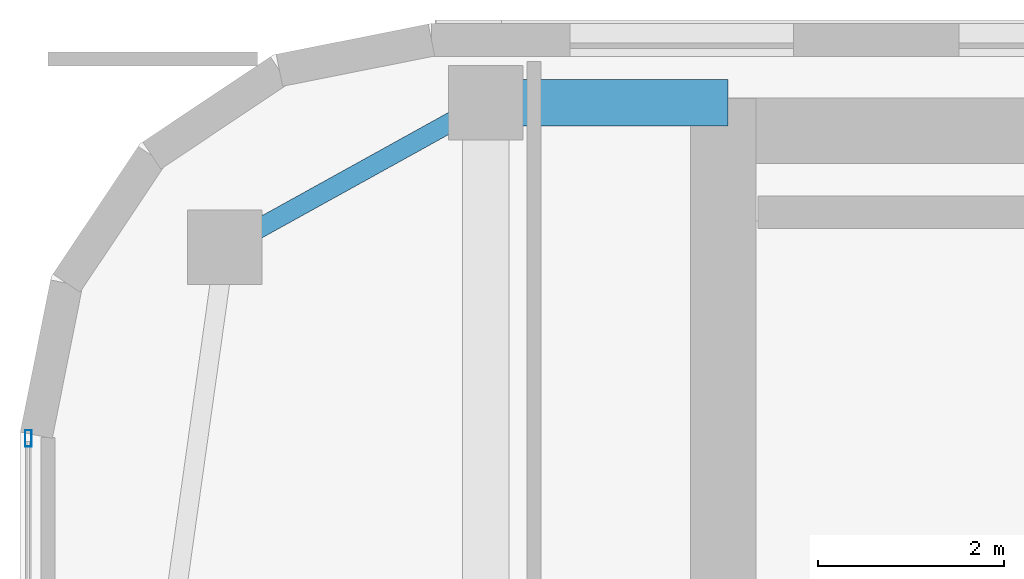
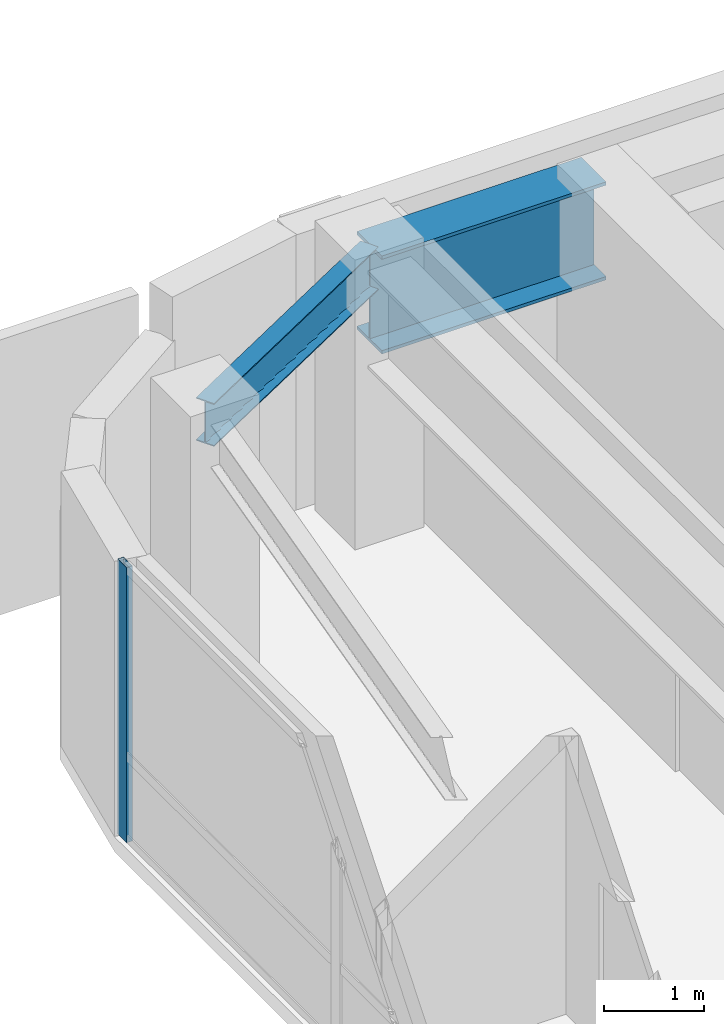
# One storey, part 15 of 28: 2 beams, 1 member, 1 element without a shape of its own.
"""IFC4 building model written with IfcOpenShell, lengths in metres."""

from ifc_helpers import new_model, si_unit, direction, frame, origin, origin_2d, place, context, subcontext, project, spatial, hollow_rectangle, i_section, extrude, source, transform, mapped, material, layer, layer_set, material_profile, profile_set, type_object, type_shapes, element, aggregate, save


model = new_model("IFC4")

# Units and contexts
model_context = context("Model", 3, precision=1e-05, world=origin(), true_north=direction((0.0, 1.0)))
body_context = subcontext(model_context, "Body", "Model", "MODEL_VIEW")
ifc_project = project(units=[si_unit("LENGTHUNIT", "METRE"), si_unit("AREAUNIT", "SQUARE_METRE"), si_unit("VOLUMEUNIT", "CUBIC_METRE"), si_unit("PLANEANGLEUNIT", "RADIAN"), si_unit("MASSUNIT", "GRAM", prefix="KILO")], contexts=[model_context])

# Site, building, storey
site_placement = place(None, origin())
site = spatial("IfcSite", under=ifc_project, at=site_placement, CompositionType="ELEMENT")
building_placement = place(site_placement, origin())
building = spatial("IfcBuilding", under=site, at=building_placement, Name="Tolvann Quenvar Hotel", CompositionType="ELEMENT")
storey_placement = place(building_placement, frame((0.0, 0.0, 154.14990234375)))
storey = spatial("IfcBuildingStorey", under=building, at=storey_placement, Name="L40", CompositionType="ELEMENT", Elevation=154.14990234375)

# Beams
ifc_material_1 = material(Name="Steel Grade 350", Category="steel")
ifc_material_profile_1 = material_profile(ifc_material_1, i_section(OverallWidth=0.5, OverallDepth=1.199951171875, WebThickness=0.01611328125, FlangeThickness=0.0400390625, at=origin_2d()), Name="1200WB455")
ifc_profile_set_1 = profile_set([ifc_material_profile_1], Name="Steel Grade 350")
beam_type_1 = type_object("IfcBeamType", Name="BM_TG_1200WB455", PredefinedType="USERDEFINED", material=ifc_profile_set_1)
shared_shape_1 = source(origin(), body_context, "Body", "SweptSolid", [
    extrude(i_section(OverallWidth=0.5, OverallDepth=1.199951171875, WebThickness=0.01611328125, FlangeThickness=0.0400390625, at=origin_2d()), origin(), (0.0, 0.0, 1.0), 2.599853515625),
])
type_shapes(beam_type_1, [shared_shape_1])
beam_1_placement = place(storey_placement, frame((7.60009765625, 45.14990234375, 2.77001953125), z_axis=(1.0, 0.0, 0.0), x_axis=(0.0, 1.0, 0.0)))
element("IfcBeam", 1, at=beam_1_placement, inside=storey, type_object=beam_type_1, Name="BM-L40-CTW-CN", ObjectType="TRANSFER GIRDER", PredefinedType="USERDEFINED", context=body_context, shape_type="MappedRepresentation", body=[
    mapped(shared_shape_1, transform((0.0, 0.0, 0.0), x_axis=(1.0, 0.0, 0.0), y_axis=(0.0, 1.0, 0.0), z_axis=(0.0, 0.0, 1.0), scale=1.0)),
])
ifc_material_profile_2 = material_profile(ifc_material_1, i_section(OverallWidth=0.208984375, OverallDepth=0.528076171875, WebThickness=0.009521484375, FlangeThickness=0.01318359375, FilletRadius=0.013916015625, at=origin_2d()), Name="530UB82")
ifc_profile_set_2 = profile_set([ifc_material_profile_2], Name="Steel Grade 350")
beam_type_2 = type_object("IfcBeamType", Name="BM_SPAND_530UB82", PredefinedType="SPANDREL", material=ifc_profile_set_2)
shared_shape_2 = source(origin(), body_context, "Body", "SweptSolid", [
    extrude(i_section(OverallWidth=0.208984375, OverallDepth=0.528076171875, WebThickness=0.009521484375, FlangeThickness=0.01318359375, FilletRadius=0.013916015625, at=origin_2d()), origin(), (0.0, 0.0, 1.0), 3.200439453125),
])
type_shapes(beam_type_2, [shared_shape_2])
beam_2_placement = place(storey_placement, frame((4.800048828125, 43.60009765625, 3.106201171875), z_axis=(0.87492264453, 0.48426270359, 0.0), x_axis=(-0.48426270359, 0.87492264453, 0.0)))
element("IfcBeam", 2, at=beam_2_placement, inside=storey, type_object=beam_type_2, Name="BM-L40-FLK-W3", PredefinedType="SPANDREL", context=body_context, shape_type="MappedRepresentation", body=[
    mapped(shared_shape_2, transform((0.0, 0.0, 0.0), x_axis=(1.0, 0.0, 0.0), y_axis=(0.0, 1.0, 0.0), z_axis=(0.0, 0.0, 1.0), scale=1.0)),
])

# Curtain wall, member
ifc_material_2 = material(Name="Thermally broken anodised architectural aluminium 6063-T6 and laminated low-E glass", Category="aluminium")
ifc_layer = layer(ifc_material_2, 0.179931640625)
ifc_layer_set = layer_set([ifc_layer], Name="Thermally broken anodised architectural aluminium 6063-T6 and laminated low-E glass")
curtain_wall_type = type_object("IfcCurtainWallType", Name="CW_SYS_BAND_04", PredefinedType="USERDEFINED", material=ifc_layer_set)
curtain_wall_placement = place(storey_placement, origin())
curtain_wall = element("IfcCurtainWall", 3, at=curtain_wall_placement, inside=storey, type_object=curtain_wall_type, Name="Curtain Wall CW-BAND-04 (CWR-L40-E23)", ObjectType="UNITISED CURTAIN WALL", PredefinedType="USERDEFINED")
ifc_material_3 = material(Name="Anodised architectural aluminium 6063-T6 framing", Category="aluminium")
ifc_material_profile_3 = material_profile(ifc_material_3, hollow_rectangle(XDim=0.070068359375, YDim=0.179931640625, WallThickness=0.00390625, at=origin_2d()), Name="180x70x4RHS")
ifc_profile_set_3 = profile_set([ifc_material_profile_3], Name="Anodised architectural aluminium 6063-T6 framing")
member_type = type_object("IfcMemberType", Name="CW_MULL_180x70", PredefinedType="MULLION", material=ifc_profile_set_3)
shared_shape_3 = source(origin(), body_context, "Body", "SweptSolid", [
    extrude(hollow_rectangle(XDim=0.070068359375, YDim=0.179931640625, WallThickness=0.00390625, at=origin_2d()), origin(), (0.0, 0.0, 1.0), 3.3701171875),
])
type_shapes(member_type, [shared_shape_3])
member_placement = place(storey_placement, frame((2.68994140625, 41.5478515625, 0.0), z_axis=(0.0, 0.0, 1.0), x_axis=(1.0, 0.0, 0.0)))
member = element("IfcMember", 4, at=member_placement, type_object=member_type, Name="CW-BAND-04 mullion 1", PredefinedType="MULLION", context=body_context, shape_type="MappedRepresentation", body=[
    mapped(shared_shape_3, transform((0.0, 0.0, 0.0), x_axis=(1.0, 0.0, 0.0), y_axis=(0.0, 1.0, 0.0), z_axis=(0.0, 0.0, 1.0), scale=1.0)),
])
aggregate(curtain_wall, [member])

save(model, "model.ifc")
